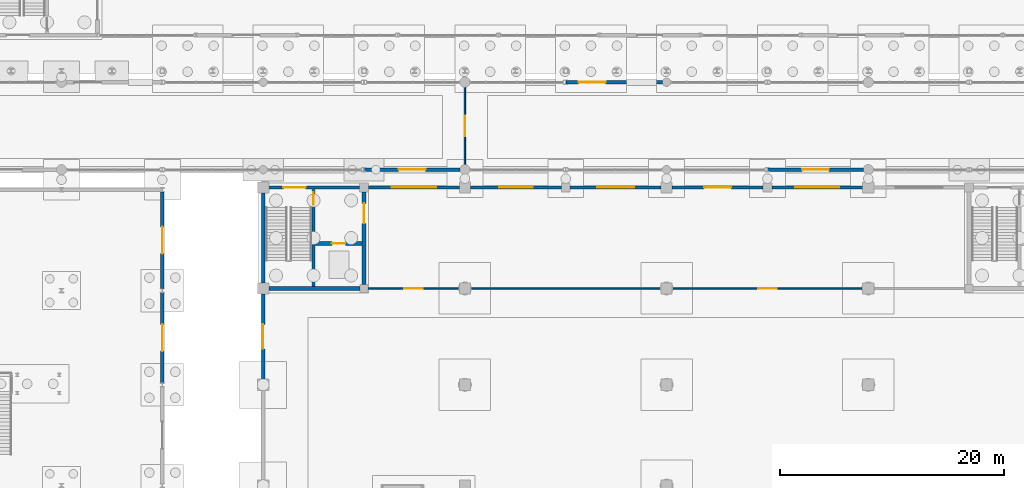
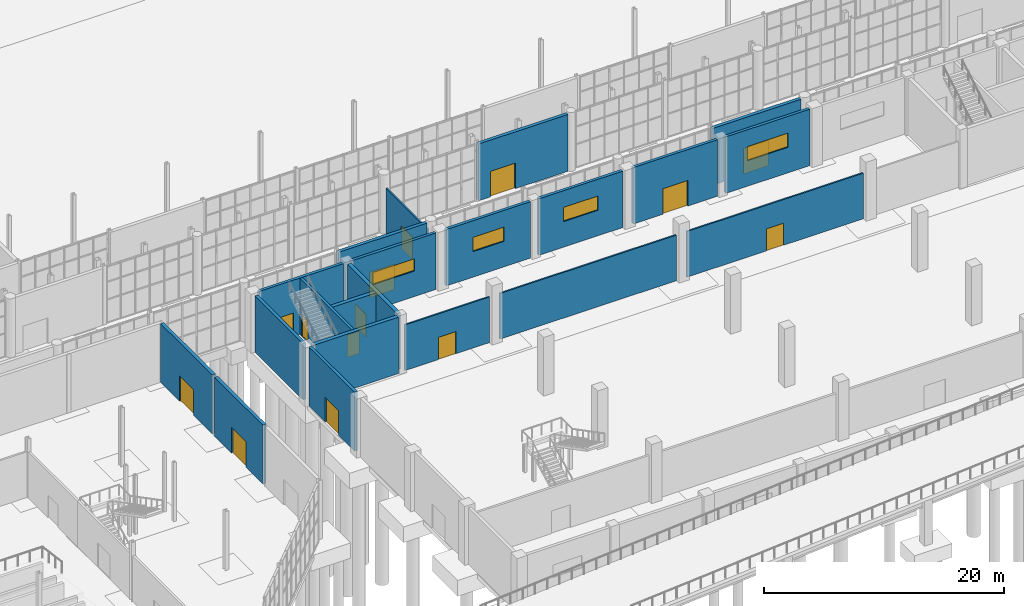
# One storey, part 100 of 131: 21 walls, 14 doors, 4 windows, 18 openings.
"""IFC4 building model written with IfcOpenShell, lengths in metres."""

from ifc_helpers import new_model, si_unit, direction, frame, frame_2d, origin, place, context, subcontext, project, spatial, rectangle, extrude, material, layer, layer_set, type_object, element, fill, save


model = new_model("IFC4")

# Units and contexts
model_context = context("Model", 3, precision=1e-05, world=origin(), true_north=direction((0.0, 1.0)))
body_context = subcontext(model_context, "Body", "Model", "MODEL_VIEW")
ifc_project = project(units=[si_unit("LENGTHUNIT", "METRE"), si_unit("AREAUNIT", "SQUARE_METRE"), si_unit("VOLUMEUNIT", "CUBIC_METRE"), si_unit("PLANEANGLEUNIT", "RADIAN"), si_unit("MASSUNIT", "GRAM", prefix="KILO")], contexts=[model_context])

# Site, building, storey
site_placement = place(None, origin())
site = spatial("IfcSite", under=ifc_project, at=site_placement, CompositionType="ELEMENT")
building_placement = place(site_placement, origin())
building = spatial("IfcBuilding", under=site, at=building_placement, Name="Cazmaro Siding Exhibition Halls", CompositionType="ELEMENT")
storey_placement = place(building_placement, origin())
storey = spatial("IfcBuildingStorey", under=building, at=storey_placement, Name="L00", CompositionType="ELEMENT", Elevation=0.0)

# Wall, opening, door
ifc_material_1 = material(Name="Concrete f'c 45 MPa", Category="concrete")
ifc_layer_1 = layer(ifc_material_1, 0.320068359375)
ifc_layer_set_1 = layer_set([ifc_layer_1], Name="Concrete f'c 45 MPa")
wall_type_1 = type_object("IfcWallType", Name="EW-01", PredefinedType="STANDARD", material=ifc_layer_set_1)
wall_1_placement = place(storey_placement, frame((89.56494140625, 55.199951171875, 0.0), z_axis=(0.0, 0.0, 1.0), x_axis=(-1.0, 0.0, 0.0)))
wall_1 = element("IfcWall", 1, at=wall_1_placement, inside=storey, type_object=wall_type_1, Name="Concourse Courtyard Portal Wall EW-01 WL-E0173", PredefinedType="STANDARD", context=body_context, shape_type="SweptSolid", body=[
    extrude(rectangle(XDim=8.552001953125, YDim=0.320068359375, at=frame_2d((4.27587890625, 0.0))), origin(), (0.0, 0.0, 1.0), 5.780029296875),
])
opening_1_placement = place(wall_1_placement, frame((3.075927734375, 0.0, 0.0)))
opening_1 = element("IfcOpeningElement", 2, at=opening_1_placement, cuts=wall_1, Name="Opening D-E040", PredefinedType="OPENING", context=body_context, shape_type="SweptSolid", body=[
    extrude(rectangle(XDim=2.39990234375, YDim=2.60009765625, at=frame_2d((1.199951171875, 1.300048828125))), frame((0.0, 0.169921875, 0.0), z_axis=(0.0, -1.0, 0.0), x_axis=(1.0, 0.0, 0.0)), (0.0, 0.0, 1.0), 0.340087890625),
])
ifc_material_2 = material(Name="Anodized Bronze Glazed Entrance Door", Category="aluminium")
door_type_1 = type_object("IfcDoorType", Name="ED-02", OperationType="DOUBLE_DOOR_SINGLE_SWING", PredefinedType="DOOR", material=ifc_material_2)
door_1_placement = place(opening_1_placement, origin())
door_1 = element("IfcDoor", 3, at=door_1_placement, inside=storey, type_object=door_type_1, Name="Exterior door D-E040 (ED-02)", OperationType="DOUBLE_DOOR_SINGLE_SWING", OverallHeight=2.60009765625, OverallWidth=2.39990234375, PredefinedType="DOOR", context=body_context, shape_type="SweptSolid", body=[
    extrude(rectangle(XDim=2.39990234375, YDim=2.60009765625, at=frame_2d((1.199951171875, 1.300048828125))), frame((0.0, 0.02490234375, 0.0), z_axis=(0.0, -1.0, 0.0), x_axis=(1.0, 0.0, 0.0)), (0.0, 0.0, 1.0), 0.050048828125),
])
fill(opening_1, door_1)

wall_2_placement = place(storey_placement, frame((99.012939453125, 63.0, 0.0), z_axis=(0.0, 0.0, 1.0), x_axis=(1.0, 0.0, 0.0)))
wall_2 = element("IfcWall", 4, at=wall_2_placement, inside=storey, type_object=wall_type_1, Name="Concourse North Colonnade Portal Wall EW-01 WL-E0176", PredefinedType="STANDARD", context=body_context, shape_type="SweptSolid", body=[
    extrude(rectangle(XDim=8.626953125, YDim=0.320068359375, at=frame_2d((4.3134765625, 0.0))), origin(), (0.0, 0.0, 1.0), 5.780029296875),
])
opening_2_placement = place(wall_2_placement, frame((1.136962890625, 0.0, 0.0)))
opening_2 = element("IfcOpeningElement", 5, at=opening_2_placement, cuts=wall_2, Name="Opening D-E043", PredefinedType="OPENING", context=body_context, shape_type="SweptSolid", body=[
    extrude(rectangle(XDim=2.39990234375, YDim=2.60009765625, at=frame_2d((1.199951171875, 1.300048828125))), frame((0.0, 0.169921875, 0.0), z_axis=(0.0, -1.0, 0.0), x_axis=(1.0, 0.0, 0.0)), (0.0, 0.0, 1.0), 0.340087890625),
])
door_2_placement = place(opening_2_placement, origin())
door_2 = element("IfcDoor", 6, at=door_2_placement, inside=storey, type_object=door_type_1, Name="Exterior door D-E043 (ED-02)", OperationType="DOUBLE_DOOR_SINGLE_SWING", OverallHeight=2.60009765625, OverallWidth=2.39990234375, PredefinedType="DOOR", context=body_context, shape_type="SweptSolid", body=[
    extrude(rectangle(XDim=2.39990234375, YDim=2.60009765625, at=frame_2d((1.199951171875, 1.300048828125))), frame((0.0, 0.02490234375, 0.0), z_axis=(0.0, -1.0, 0.0), x_axis=(1.0, 0.0, 0.0)), (0.0, 0.0, 1.0), 0.050048828125),
])
fill(opening_2, door_2)

wall_3_placement = place(storey_placement, frame((125.56494140625, 55.199951171875, 0.0), z_axis=(0.0, 0.0, 1.0), x_axis=(-1.0, 0.0, 0.0)))
wall_3 = element("IfcWall", 7, at=wall_3_placement, inside=storey, type_object=wall_type_1, Name="Concourse Courtyard Portal Wall EW-01 WL-E0179", PredefinedType="STANDARD", context=body_context, shape_type="SweptSolid", body=[
    extrude(rectangle(XDim=8.552001953125, YDim=0.320068359375, at=frame_2d((4.27587890625, 0.0))), origin(), (0.0, 0.0, 1.0), 5.780029296875),
])
opening_3_placement = place(wall_3_placement, frame((3.075927734375, 0.0, 0.0)))
opening_3 = element("IfcOpeningElement", 8, at=opening_3_placement, cuts=wall_3, Name="Opening D-E046", PredefinedType="OPENING", context=body_context, shape_type="SweptSolid", body=[
    extrude(rectangle(XDim=2.39990234375, YDim=2.60009765625, at=frame_2d((1.199951171875, 1.300048828125))), frame((0.0, 0.169921875, 0.0), z_axis=(0.0, -1.0, 0.0), x_axis=(1.0, 0.0, 0.0)), (0.0, 0.0, 1.0), 0.340087890625),
])
door_3_placement = place(opening_3_placement, origin())
door_3 = element("IfcDoor", 9, at=door_3_placement, inside=storey, type_object=door_type_1, Name="Exterior door D-E046 (ED-02)", OperationType="DOUBLE_DOOR_SINGLE_SWING", OverallHeight=2.60009765625, OverallWidth=2.39990234375, PredefinedType="DOOR", context=body_context, shape_type="SweptSolid", body=[
    extrude(rectangle(XDim=2.39990234375, YDim=2.60009765625, at=frame_2d((1.199951171875, 1.300048828125))), frame((0.0, 0.02490234375, 0.0), z_axis=(0.0, -1.0, 0.0), x_axis=(1.0, 0.0, 0.0)), (0.0, 0.0, 1.0), 0.050048828125),
])
fill(opening_3, door_3)

wall_4_placement = place(storey_placement, frame((63.0, 44.219970703125, 0.0), z_axis=(0.0, 0.0, 1.0), x_axis=(0.0, -1.0, 0.0)))
wall_4 = element("IfcWall", 10, at=wall_4_placement, inside=storey, type_object=wall_type_1, Name="Congress Plaza Entrance Wall EW-01 WL-E0203", PredefinedType="STANDARD", context=body_context, shape_type="SweptSolid", body=[
    extrude(rectangle(XDim=8.0400390625, YDim=0.320068359375, at=frame_2d((4.02001953125, 0.0))), origin(), (0.0, 0.0, 1.0), 6.0),
])
opening_4_placement = place(wall_4_placement, frame((2.820068359375, 0.0, 0.0)))
opening_4 = element("IfcOpeningElement", 11, at=opening_4_placement, cuts=wall_4, Name="Opening D-E057", PredefinedType="OPENING", context=body_context, shape_type="SweptSolid", body=[
    extrude(rectangle(XDim=2.39990234375, YDim=2.60009765625, at=frame_2d((1.199951171875, 1.300048828125))), frame((0.0, 0.169921875, 0.0), z_axis=(0.0, -1.0, 0.0), x_axis=(1.0, 0.0, 0.0)), (0.0, 0.0, 1.0), 0.340087890625),
])
door_4_placement = place(opening_4_placement, origin())
door_4 = element("IfcDoor", 12, at=door_4_placement, inside=storey, type_object=door_type_1, Name="Exterior door D-E057 (ED-02)", OperationType="DOUBLE_DOOR_SINGLE_SWING", OverallHeight=2.60009765625, OverallWidth=2.39990234375, PredefinedType="DOOR", context=body_context, shape_type="SweptSolid", body=[
    extrude(rectangle(XDim=2.39990234375, YDim=2.60009765625, at=frame_2d((1.199951171875, 1.300048828125))), frame((0.0, 0.02490234375, 0.0), z_axis=(0.0, -1.0, 0.0), x_axis=(1.0, 0.0, 0.0)), (0.0, 0.0, 1.0), 0.050048828125),
])
fill(opening_4, door_4)

wall_5_placement = place(storey_placement, frame((63.0, 53.219970703125, 0.0), z_axis=(0.0, 0.0, 1.0), x_axis=(0.0, -1.0, 0.0)))
wall_5 = element("IfcWall", 13, at=wall_5_placement, inside=storey, type_object=wall_type_1, Name="Congress Plaza Entrance Wall EW-01 WL-E0204", PredefinedType="STANDARD", context=body_context, shape_type="SweptSolid", body=[
    extrude(rectangle(XDim=8.639892578125, YDim=0.320068359375, at=frame_2d((4.31982421875, 0.0))), origin(), (0.0, 0.0, 1.0), 6.0),
])
opening_5_placement = place(wall_5_placement, frame((3.1201171875, 0.0, 0.0)))
opening_5 = element("IfcOpeningElement", 14, at=opening_5_placement, cuts=wall_5, Name="Opening D-E058", PredefinedType="OPENING", context=body_context, shape_type="SweptSolid", body=[
    extrude(rectangle(XDim=2.39990234375, YDim=2.60009765625, at=frame_2d((1.199951171875, 1.300048828125))), frame((0.0, 0.169921875, 0.0), z_axis=(0.0, -1.0, 0.0), x_axis=(1.0, 0.0, 0.0)), (0.0, 0.0, 1.0), 0.340087890625),
])
door_5_placement = place(opening_5_placement, origin())
door_5 = element("IfcDoor", 15, at=door_5_placement, inside=storey, type_object=door_type_1, Name="Exterior door D-E058 (ED-02)", OperationType="DOUBLE_DOOR_SINGLE_SWING", OverallHeight=2.60009765625, OverallWidth=2.39990234375, PredefinedType="DOOR", context=body_context, shape_type="SweptSolid", body=[
    extrude(rectangle(XDim=2.39990234375, YDim=2.60009765625, at=frame_2d((1.199951171875, 1.300048828125))), frame((0.0, 0.02490234375, 0.0), z_axis=(0.0, -1.0, 0.0), x_axis=(1.0, 0.0, 0.0)), (0.0, 0.0, 1.0), 0.050048828125),
])
fill(opening_5, door_5)

ifc_material_3 = material(Name="Precast concrete f'c 40 MPa", Category="concrete")
ifc_layer_2 = layer(ifc_material_3, 0.280029296875)
ifc_layer_set_2 = layer_set([ifc_layer_2], Name="Precast concrete f'c 40 MPa")
wall_type_2 = type_object("IfcWallType", Name="EW-02", PredefinedType="STANDARD", material=ifc_layer_set_2)
wall_6_placement = place(storey_placement, frame((72.491943359375, 53.60009765625, 0.0), z_axis=(0.0, 0.0, 1.0), x_axis=(1.0, 0.0, 0.0)))
wall_6 = element("IfcWall", 16, at=wall_6_placement, inside=storey, type_object=wall_type_2, Name="Hall B1 North Wall EW-02 WL-E0039", PredefinedType="STANDARD", context=body_context, shape_type="SweptSolid", body=[
    extrude(rectangle(XDim=8.115966796875, YDim=0.280029296875, at=frame_2d((4.05810546875, 0.0))), origin(), (0.0, 0.0, 1.0), 5.75),
])
opening_6_placement = place(wall_6_placement, frame((1.300048828125, 0.0, 0.0)))
opening_6 = element("IfcOpeningElement", 17, at=opening_6_placement, cuts=wall_6, Name="Opening D-E013", PredefinedType="OPENING", context=body_context, shape_type="SweptSolid", body=[
    extrude(rectangle(XDim=2.0, YDim=2.39990234375, at=frame_2d((1.0, 1.199951171875))), frame((0.0, 0.14990234375, 0.0), z_axis=(0.0, -1.0, 0.0), x_axis=(1.0, 0.0, 0.0)), (0.0, 0.0, 1.0), 0.300048828125),
])
ifc_material_4 = material(Name="Anodized Bronze Glazed Entrance Door", Category="aluminium")
door_type_2 = type_object("IfcDoorType", Name="ED-01", OperationType="DOUBLE_DOOR_SINGLE_SWING", PredefinedType="DOOR", material=ifc_material_4)
door_6_placement = place(opening_6_placement, origin())
door_6 = element("IfcDoor", 18, at=door_6_placement, inside=storey, type_object=door_type_2, Name="Exterior door D-E013 (ED-01)", OperationType="DOUBLE_DOOR_SINGLE_SWING", OverallHeight=2.39990234375, OverallWidth=2.0, PredefinedType="DOOR", context=body_context, shape_type="SweptSolid", body=[
    extrude(rectangle(XDim=2.0, YDim=2.39990234375, at=frame_2d((1.0, 1.199951171875))), frame((0.0, 0.02490234375, 0.0), z_axis=(0.0, -1.0, 0.0), x_axis=(1.0, 0.0, 0.0)), (0.0, 0.0, 1.0), 0.050048828125),
])
fill(opening_6, door_6)

# Wall, opening, window
wall_7_placement = place(storey_placement, frame((81.39208984375, 53.60009765625, 0.0), z_axis=(0.0, 0.0, 1.0), x_axis=(1.0, 0.0, 0.0)))
wall_7 = element("IfcWall", 19, at=wall_7_placement, inside=storey, type_object=wall_type_2, Name="Hall B1 North Wall EW-02 WL-E0045", PredefinedType="STANDARD", context=body_context, shape_type="SweptSolid", body=[
    extrude(rectangle(XDim=8.115966796875, YDim=0.280029296875, at=frame_2d((4.05810546875, 0.0))), origin(), (0.0, 0.0, 1.0), 5.75),
])
opening_7_placement = place(wall_7_placement, frame((2.05810546875, 0.0, 2.60009765625)))
opening_7 = element("IfcOpeningElement", 20, at=opening_7_placement, cuts=wall_7, Name="Opening W-021", PredefinedType="OPENING", context=body_context, shape_type="SweptSolid", body=[
    extrude(rectangle(XDim=4.0, YDim=1.25, at=frame_2d((2.0, 0.625))), frame((0.0, 0.14990234375, 0.0), z_axis=(0.0, -1.0, 0.0), x_axis=(1.0, 0.0, 0.0)), (0.0, 0.0, 1.0), 0.300048828125),
])
ifc_material_5 = material(Name="Thermally Broken Aluminum Low-E Window Unit", Category="aluminium")
window_type_1 = type_object("IfcWindowType", Name="WT-23", PartitioningType="SINGLE_PANEL", PredefinedType="WINDOW", material=ifc_material_5)
window_1_placement = place(opening_7_placement, origin())
window_1 = element("IfcWindow", 21, at=window_1_placement, inside=storey, type_object=window_type_1, Name="Window W-021 (WT-23)", OverallHeight=1.25, OverallWidth=4.0, PartitioningType="SINGLE_PANEL", PredefinedType="WINDOW", context=body_context, shape_type="SweptSolid", body=[
    extrude(rectangle(XDim=4.0, YDim=1.25, at=frame_2d((2.0, 0.625))), frame((0.0, 0.030029296875, 0.0), z_axis=(0.0, -1.0, 0.0), x_axis=(1.0, 0.0, 0.0)), (0.0, 0.0, 1.0), 0.06005859375),
])
fill(opening_7, window_1)

wall_8_placement = place(storey_placement, frame((90.491943359375, 53.60009765625, 0.0), z_axis=(0.0, 0.0, 1.0), x_axis=(1.0, 0.0, 0.0)))
wall_8 = element("IfcWall", 22, at=wall_8_placement, inside=storey, type_object=wall_type_2, Name="Hall B1 North Wall EW-02 WL-E0051", PredefinedType="STANDARD", context=body_context, shape_type="SweptSolid", body=[
    extrude(rectangle(XDim=8.115966796875, YDim=0.280029296875, at=frame_2d((4.05810546875, 0.0))), origin(), (0.0, 0.0, 1.0), 5.75),
])
opening_8_placement = place(wall_8_placement, frame((2.55810546875, 0.0, 2.60009765625)))
opening_8 = element("IfcOpeningElement", 23, at=opening_8_placement, cuts=wall_8, Name="Opening W-024", PredefinedType="OPENING", context=body_context, shape_type="SweptSolid", body=[
    extrude(rectangle(XDim=3.0, YDim=1.449951171875, at=frame_2d((1.5, 0.72509765625))), frame((0.0, 0.14990234375, 0.0), z_axis=(0.0, -1.0, 0.0), x_axis=(1.0, 0.0, 0.0)), (0.0, 0.0, 1.0), 0.300048828125),
])
ifc_material_6 = material(Name="Thermally Broken Aluminum Low-E Window Unit", Category="aluminium")
window_type_2 = type_object("IfcWindowType", Name="WT-24", PartitioningType="SINGLE_PANEL", PredefinedType="WINDOW", material=ifc_material_6)
window_2_placement = place(opening_8_placement, origin())
window_2 = element("IfcWindow", 24, at=window_2_placement, inside=storey, type_object=window_type_2, Name="Window W-024 (WT-24)", OverallHeight=1.449951171875, OverallWidth=3.0, PartitioningType="SINGLE_PANEL", PredefinedType="WINDOW", context=body_context, shape_type="SweptSolid", body=[
    extrude(rectangle(XDim=3.0, YDim=1.449951171875, at=frame_2d((1.5, 0.72509765625))), frame((0.0, 0.030029296875, 0.0), z_axis=(0.0, -1.0, 0.0), x_axis=(1.0, 0.0, 0.0)), (0.0, 0.0, 1.0), 0.06005859375),
])
fill(opening_8, window_2)

wall_9_placement = place(storey_placement, frame((99.39208984375, 53.60009765625, 0.0), z_axis=(0.0, 0.0, 1.0), x_axis=(1.0, 0.0, 0.0)))
wall_9 = element("IfcWall", 25, at=wall_9_placement, inside=storey, type_object=wall_type_2, Name="Hall B1 North Wall EW-02 WL-E0057", PredefinedType="STANDARD", context=body_context, shape_type="SweptSolid", body=[
    extrude(rectangle(XDim=8.115966796875, YDim=0.280029296875, at=frame_2d((4.05810546875, 0.0))), origin(), (0.0, 0.0, 1.0), 5.75),
])
opening_9_placement = place(wall_9_placement, frame((2.407958984375, 0.0, 2.60009765625)))
opening_9 = element("IfcOpeningElement", 26, at=opening_9_placement, cuts=wall_9, Name="Opening W-027", PredefinedType="OPENING", context=body_context, shape_type="SweptSolid", body=[
    extrude(rectangle(XDim=3.300048828125, YDim=1.449951171875, at=frame_2d((1.64990234375, 0.72509765625))), frame((0.0, 0.14990234375, 0.0), z_axis=(0.0, -1.0, 0.0), x_axis=(1.0, 0.0, 0.0)), (0.0, 0.0, 1.0), 0.300048828125),
])
ifc_material_7 = material(Name="Thermally Broken Aluminum Low-E Window Unit", Category="aluminium")
window_type_3 = type_object("IfcWindowType", Name="WT-25", PartitioningType="SINGLE_PANEL", PredefinedType="WINDOW", material=ifc_material_7)
window_3_placement = place(opening_9_placement, origin())
window_3 = element("IfcWindow", 27, at=window_3_placement, inside=storey, type_object=window_type_3, Name="Window W-027 (WT-25)", OverallHeight=1.449951171875, OverallWidth=3.300048828125, PartitioningType="SINGLE_PANEL", PredefinedType="WINDOW", context=body_context, shape_type="SweptSolid", body=[
    extrude(rectangle(XDim=3.300048828125, YDim=1.449951171875, at=frame_2d((1.64990234375, 0.72509765625))), frame((0.0, 0.030029296875, 0.0), z_axis=(0.0, -1.0, 0.0), x_axis=(1.0, 0.0, 0.0)), (0.0, 0.0, 1.0), 0.06005859375),
])
fill(opening_9, window_3)

# Wall, opening, door
wall_10_placement = place(storey_placement, frame((108.491943359375, 53.60009765625, 0.0), z_axis=(0.0, 0.0, 1.0), x_axis=(1.0, 0.0, 0.0)))
wall_10 = element("IfcWall", 28, at=wall_10_placement, inside=storey, type_object=wall_type_2, Name="Hall B1 North Wall EW-02 WL-E0063", PredefinedType="STANDARD", context=body_context, shape_type="SweptSolid", body=[
    extrude(rectangle(XDim=8.115966796875, YDim=0.280029296875, at=frame_2d((4.05810546875, 0.0))), origin(), (0.0, 0.0, 1.0), 5.75),
])
opening_10_placement = place(wall_10_placement, frame((2.85791015625, 0.0, 0.0)))
opening_10 = element("IfcOpeningElement", 29, at=opening_10_placement, cuts=wall_10, Name="Opening D-E017", PredefinedType="OPENING", context=body_context, shape_type="SweptSolid", body=[
    extrude(rectangle(XDim=2.39990234375, YDim=2.60009765625, at=frame_2d((1.199951171875, 1.300048828125))), frame((0.0, 0.14990234375, 0.0), z_axis=(0.0, -1.0, 0.0), x_axis=(1.0, 0.0, 0.0)), (0.0, 0.0, 1.0), 0.300048828125),
])
door_7_placement = place(opening_10_placement, origin())
door_7 = element("IfcDoor", 30, at=door_7_placement, inside=storey, type_object=door_type_1, Name="Exterior door D-E017 (ED-02)", OperationType="DOUBLE_DOOR_SINGLE_SWING", OverallHeight=2.60009765625, OverallWidth=2.39990234375, PredefinedType="DOOR", context=body_context, shape_type="SweptSolid", body=[
    extrude(rectangle(XDim=2.39990234375, YDim=2.60009765625, at=frame_2d((1.199951171875, 1.300048828125))), frame((0.0, 0.02490234375, 0.0), z_axis=(0.0, -1.0, 0.0), x_axis=(1.0, 0.0, 0.0)), (0.0, 0.0, 1.0), 0.050048828125),
])
fill(opening_10, door_7)

# Wall, opening, window
wall_11_placement = place(storey_placement, frame((117.39208984375, 53.60009765625, 0.0), z_axis=(0.0, 0.0, 1.0), x_axis=(1.0, 0.0, 0.0)))
wall_11 = element("IfcWall", 31, at=wall_11_placement, inside=storey, type_object=wall_type_2, Name="Hall B1 North Wall EW-02 WL-E0069", PredefinedType="STANDARD", context=body_context, shape_type="SweptSolid", body=[
    extrude(rectangle(XDim=8.115966796875, YDim=0.280029296875, at=frame_2d((4.05810546875, 0.0))), origin(), (0.0, 0.0, 1.0), 5.75),
])
opening_11_placement = place(wall_11_placement, frame((2.10791015625, 0.0, 2.60009765625)))
opening_11 = element("IfcOpeningElement", 32, at=opening_11_placement, cuts=wall_11, Name="Opening W-032", PredefinedType="OPENING", context=body_context, shape_type="SweptSolid", body=[
    extrude(rectangle(XDim=3.89990234375, YDim=1.449951171875, at=frame_2d((1.949951171875, 0.72509765625))), frame((0.0, 0.14990234375, 0.0), z_axis=(0.0, -1.0, 0.0), x_axis=(1.0, 0.0, 0.0)), (0.0, 0.0, 1.0), 0.300048828125),
])
ifc_material_8 = material(Name="Thermally Broken Aluminum Low-E Window Unit", Category="aluminium")
window_type_4 = type_object("IfcWindowType", Name="WT-27", PartitioningType="SINGLE_PANEL", PredefinedType="WINDOW", material=ifc_material_8)
window_4_placement = place(opening_11_placement, origin())
window_4 = element("IfcWindow", 33, at=window_4_placement, inside=storey, type_object=window_type_4, Name="Window W-032 (WT-27)", OverallHeight=1.449951171875, OverallWidth=3.89990234375, PartitioningType="SINGLE_PANEL", PredefinedType="WINDOW", context=body_context, shape_type="SweptSolid", body=[
    extrude(rectangle(XDim=3.89990234375, YDim=1.449951171875, at=frame_2d((1.949951171875, 0.72509765625))), frame((0.0, 0.030029296875, 0.0), z_axis=(0.0, -1.0, 0.0), x_axis=(1.0, 0.0, 0.0)), (0.0, 0.0, 1.0), 0.06005859375),
])
fill(opening_11, window_4)

# Wall, opening, door
wall_12_placement = place(storey_placement, frame((72.0, 36.491943359375, 0.0), z_axis=(0.0, 0.0, 1.0), x_axis=(0.0, 1.0, 0.0)))
wall_12 = element("IfcWall", 34, at=wall_12_placement, inside=storey, type_object=wall_type_2, Name="Hall B1 West Wall EW-02 WL-E0144", PredefinedType="STANDARD", context=body_context, shape_type="SweptSolid", body=[
    extrude(rectangle(XDim=7.615966796875, YDim=0.280029296875, at=frame_2d((3.80810546875, 0.0))), origin(), (0.0, 0.0, 1.0), 6.0),
])
opening_12_placement = place(wall_12_placement, frame((2.7080078125, 0.0, 0.0)))
opening_12 = element("IfcOpeningElement", 35, at=opening_12_placement, cuts=wall_12, Name="Opening D-E029", PredefinedType="OPENING", context=body_context, shape_type="SweptSolid", body=[
    extrude(rectangle(XDim=2.199951171875, YDim=2.5, at=frame_2d((1.10009765625, 1.25))), frame((0.0, 0.14990234375, 0.0), z_axis=(0.0, -1.0, 0.0), x_axis=(1.0, 0.0, 0.0)), (0.0, 0.0, 1.0), 0.300048828125),
])
ifc_material_9 = material(Name="Anodized Bronze Glazed Entrance Door", Category="aluminium")
door_type_3 = type_object("IfcDoorType", Name="ED-06", OperationType="DOUBLE_DOOR_SINGLE_SWING", PredefinedType="DOOR", material=ifc_material_9)
door_8_placement = place(opening_12_placement, origin())
door_8 = element("IfcDoor", 36, at=door_8_placement, inside=storey, type_object=door_type_3, Name="Exterior door D-E029 (ED-06)", OperationType="DOUBLE_DOOR_SINGLE_SWING", OverallHeight=2.5, OverallWidth=2.199951171875, PredefinedType="DOOR", context=body_context, shape_type="SweptSolid", body=[
    extrude(rectangle(XDim=2.199951171875, YDim=2.5, at=frame_2d((1.10009765625, 1.25))), frame((0.0, 0.02490234375, 0.0), z_axis=(0.0, -1.0, 0.0), x_axis=(1.0, 0.0, 0.0)), (0.0, 0.0, 1.0), 0.050048828125),
])
fill(opening_12, door_8)

# Wall
wall_13_placement = place(storey_placement, frame((72.0, 45.092041015625, 0.0), z_axis=(0.0, 0.0, 1.0), x_axis=(0.0, 1.0, 0.0)))
element("IfcWall", 37, at=wall_13_placement, inside=storey, type_object=wall_type_2, Name="Hall B1 West Wall EW-02 WL-E0150", PredefinedType="STANDARD", context=body_context, shape_type="SweptSolid", body=[
    extrude(rectangle(XDim=8.015869140625, YDim=0.280029296875, at=frame_2d((4.0078125, 0.0))), origin(), (0.0, 0.0, 1.0), 5.75),
])

# Wall, opening, door
ifc_material_10 = material(Name="Fire-Rated Gypsum Board on Cold-Formed Steel Studs", Category="steel")
ifc_layer_3 = layer(ifc_material_10, 0.14501953125)
ifc_layer_set_3 = layer_set([ifc_layer_3], Name="Fire-Rated Gypsum Board on Cold-Formed Steel Studs")
wall_type_3 = type_object("IfcWallType", Name="PW-01", PredefinedType="PARTITIONING", material=ifc_layer_set_3)
wall_14_placement = place(storey_placement, frame((81.344970703125, 44.60009765625, 0.0), z_axis=(0.0, 0.0, 1.0), x_axis=(1.0, 0.0, 0.0)))
wall_14 = element("IfcWall", 38, at=wall_14_placement, inside=storey, type_object=wall_type_3, Name="Hall B1 North Service Partition PW-01 WL-I0159", PredefinedType="PARTITIONING", context=body_context, shape_type="SweptSolid", body=[
    extrude(rectangle(XDim=8.159912109375, YDim=0.14501953125, at=frame_2d((4.080078125, 0.0))), origin(), (0.0, 0.0, 1.0), 4.64990234375),
])
opening_13_placement = place(wall_14_placement, frame((3.2548828125, 0.0, 0.0)))
opening_13 = element("IfcOpeningElement", 39, at=opening_13_placement, cuts=wall_14, Name="Opening D-I074", PredefinedType="OPENING", context=body_context, shape_type="SweptSolid", body=[
    extrude(rectangle(XDim=1.64990234375, YDim=2.25, at=frame_2d((0.824951171875, 1.125))), frame((0.0, 0.08251953125, 0.0), z_axis=(0.0, -1.0, 0.0), x_axis=(1.0, 0.0, 0.0)), (0.0, 0.0, 1.0), 0.1650390625),
])
ifc_material_11 = material(Name="Fire-Rated Painted Hollow Metal Door", Category="steel")
door_type_4 = type_object("IfcDoorType", Name="ID-05", OperationType="DOUBLE_DOOR_SINGLE_SWING", PredefinedType="DOOR", material=ifc_material_11)
door_9_placement = place(opening_13_placement, origin())
door_9 = element("IfcDoor", 40, at=door_9_placement, inside=storey, type_object=door_type_4, Name="Interior door D-I074 (ID-05)", OperationType="DOUBLE_DOOR_SINGLE_SWING", OverallHeight=2.25, OverallWidth=1.64990234375, PredefinedType="DOOR", context=body_context, shape_type="SweptSolid", body=[
    extrude(rectangle(XDim=1.64990234375, YDim=2.25, at=frame_2d((0.824951171875, 1.125))), frame((0.0, 0.02490234375, 0.0), z_axis=(0.0, -1.0, 0.0), x_axis=(1.0, 0.0, 0.0)), (0.0, 0.0, 1.0), 0.050048828125),
])
fill(opening_13, door_9)

# Wall
wall_15_placement = place(storey_placement, frame((90.4951171875, 44.60009765625, 0.0), z_axis=(0.0, 0.0, 1.0), x_axis=(1.0, 0.0, 0.0)))
element("IfcWall", 41, at=wall_15_placement, inside=storey, type_object=wall_type_3, Name="Hall B1 North Service Partition PW-01 WL-I0160", PredefinedType="PARTITIONING", context=body_context, shape_type="SweptSolid", body=[
    extrude(rectangle(XDim=17.009765625, YDim=0.14501953125, at=frame_2d((8.5048828125, 0.0))), origin(), (0.0, 0.0, 1.0), 4.64990234375),
])

# Wall, opening, door
wall_16_placement = place(storey_placement, frame((108.4951171875, 44.60009765625, 0.0), z_axis=(0.0, 0.0, 1.0), x_axis=(1.0, 0.0, 0.0)))
wall_16 = element("IfcWall", 42, at=wall_16_placement, inside=storey, type_object=wall_type_3, Name="Hall B1 North Service Partition PW-01 WL-I0161", PredefinedType="PARTITIONING", context=body_context, shape_type="SweptSolid", body=[
    extrude(rectangle(XDim=17.009765625, YDim=0.14501953125, at=frame_2d((8.5048828125, 0.0))), origin(), (0.0, 0.0, 1.0), 4.64990234375),
])
opening_14_placement = place(wall_16_placement, frame((7.679931640625, 0.0, 0.0)))
opening_14 = element("IfcOpeningElement", 43, at=opening_14_placement, cuts=wall_16, Name="Opening D-I075", PredefinedType="OPENING", context=body_context, shape_type="SweptSolid", body=[
    extrude(rectangle(XDim=1.64990234375, YDim=2.25, at=frame_2d((0.824951171875, 1.125))), frame((0.0, 0.08251953125, 0.0), z_axis=(0.0, -1.0, 0.0), x_axis=(1.0, 0.0, 0.0)), (0.0, 0.0, 1.0), 0.1650390625),
])
door_10_placement = place(opening_14_placement, origin())
door_10 = element("IfcDoor", 44, at=door_10_placement, inside=storey, type_object=door_type_4, Name="Interior door D-I075 (ID-05)", OperationType="DOUBLE_DOOR_SINGLE_SWING", OverallHeight=2.25, OverallWidth=1.64990234375, PredefinedType="DOOR", context=body_context, shape_type="SweptSolid", body=[
    extrude(rectangle(XDim=1.64990234375, YDim=2.25, at=frame_2d((0.824951171875, 1.125))), frame((0.0, 0.02490234375, 0.0), z_axis=(0.0, -1.0, 0.0), x_axis=(1.0, 0.0, 0.0)), (0.0, 0.0, 1.0), 0.050048828125),
])
fill(opening_14, door_10)

wall_17_placement = place(storey_placement, frame((90.0, 55.633056640625, 0.0), z_axis=(0.0, 0.0, 1.0), x_axis=(0.0, 1.0, 0.0)))
wall_17 = element("IfcWall", 45, at=wall_17_placement, inside=storey, type_object=wall_type_3, Name="Concourse Foyer Smoke Partition PW-01 WL-I0169", PredefinedType="PARTITIONING", context=body_context, shape_type="SweptSolid", body=[
    extrude(rectangle(XDim=6.933837890625, YDim=0.14501953125, at=frame_2d((3.466796875, 0.0))), origin(), (0.0, 0.0, 1.0), 4.64990234375),
])
opening_15_placement = place(wall_17_placement, frame((2.56689453125, 0.0, 0.0)))
opening_15 = element("IfcOpeningElement", 46, at=opening_15_placement, cuts=wall_17, Name="Opening D-I082", PredefinedType="OPENING", context=body_context, shape_type="SweptSolid", body=[
    extrude(rectangle(XDim=1.800048828125, YDim=2.300048828125, at=frame_2d((0.89990234375, 1.14990234375))), frame((0.0, 0.08251953125, 0.0), z_axis=(0.0, -1.0, 0.0), x_axis=(1.0, 0.0, 0.0)), (0.0, 0.0, 1.0), 0.1650390625),
])
ifc_material_12 = material(Name="Fire-Rated Painted Hollow Metal Door", Category="steel")
door_type_5 = type_object("IfcDoorType", Name="ID-02", OperationType="DOUBLE_DOOR_SINGLE_SWING", PredefinedType="DOOR", material=ifc_material_12)
door_11_placement = place(opening_15_placement, origin())
door_11 = element("IfcDoor", 47, at=door_11_placement, inside=storey, type_object=door_type_5, Name="Interior door D-I082 (ID-02)", OperationType="DOUBLE_DOOR_SINGLE_SWING", OverallHeight=2.300048828125, OverallWidth=1.800048828125, PredefinedType="DOOR", context=body_context, shape_type="SweptSolid", body=[
    extrude(rectangle(XDim=1.800048828125, YDim=2.300048828125, at=frame_2d((0.89990234375, 1.14990234375))), frame((0.0, 0.02490234375, 0.0), z_axis=(0.0, -1.0, 0.0), x_axis=(1.0, 0.0, 0.0)), (0.0, 0.0, 1.0), 0.050048828125),
])
fill(opening_15, door_11)

ifc_material_13 = material(Name="Concrete f'c 50 MPa", Category="concrete")
ifc_layer_4 = layer(ifc_material_13, 0.360107421875)
ifc_layer_set_4 = layer_set([ifc_layer_4], Name="Concrete f'c 50 MPa")
wall_type_4 = type_object("IfcWallType", Name="SW-01", PredefinedType="SHEAR", material=ifc_layer_set_4)
wall_18_placement = place(storey_placement, frame((81.0, 44.945068359375, 0.0), z_axis=(0.0, 0.0, 1.0), x_axis=(0.0, 1.0, 0.0)))
wall_18 = element("IfcWall", 48, at=wall_18_placement, inside=storey, type_object=wall_type_4, Name="Core C3 East Shear Wall SW-01 WL-I0025", PredefinedType="SHEAR", context=body_context, shape_type="SweptSolid", body=[
    extrude(rectangle(XDim=8.260009765625, YDim=0.360107421875, at=frame_2d((4.1298828125, 0.0))), origin(), (0.0, 0.0, 1.0), 5.75),
])
opening_16_placement = place(wall_18_placement, frame((5.455078125, 0.0, 0.0)))
opening_16 = element("IfcOpeningElement", 49, at=opening_16_placement, cuts=wall_18, Name="Opening D-I014", PredefinedType="OPENING", context=body_context, shape_type="SweptSolid", body=[
    extrude(rectangle(XDim=1.800048828125, YDim=2.300048828125, at=frame_2d((0.89990234375, 1.14990234375))), frame((0.0, 0.18994140625, 0.0), z_axis=(0.0, -1.0, 0.0), x_axis=(1.0, 0.0, 0.0)), (0.0, 0.0, 1.0), 0.380126953125),
])
door_12_placement = place(opening_16_placement, origin())
door_12 = element("IfcDoor", 50, at=door_12_placement, inside=storey, type_object=door_type_5, Name="Interior door D-I014 (ID-02)", OperationType="DOUBLE_DOOR_SINGLE_SWING", OverallHeight=2.300048828125, OverallWidth=1.800048828125, PredefinedType="DOOR", context=body_context, shape_type="SweptSolid", body=[
    extrude(rectangle(XDim=1.800048828125, YDim=2.300048828125, at=frame_2d((0.89990234375, 1.14990234375))), frame((0.0, 0.02490234375, 0.0), z_axis=(0.0, -1.0, 0.0), x_axis=(1.0, 0.0, 0.0)), (0.0, 0.0, 1.0), 0.050048828125),
])
fill(opening_16, door_12)

# Wall
wall_19_placement = place(storey_placement, frame((72.4951171875, 44.60009765625, 0.0), z_axis=(0.0, 0.0, 1.0), x_axis=(1.0, 0.0, 0.0)))
element("IfcWall", 51, at=wall_19_placement, inside=storey, type_object=wall_type_4, Name="Core C3 South Shear Wall SW-01 WL-I0026", PredefinedType="SHEAR", context=body_context, shape_type="SweptSolid", body=[
    extrude(rectangle(XDim=8.159912109375, YDim=0.360107421875, at=frame_2d((4.080078125, 0.0))), origin(), (0.0, 0.0, 1.0), 5.75),
])

# Wall, opening, door
wall_20_placement = place(storey_placement, frame((76.614990234375, 48.60009765625, 0.0), z_axis=(0.0, 0.0, 1.0), x_axis=(1.0, 0.0, 0.0)))
wall_20 = element("IfcWall", 52, at=wall_20_placement, inside=storey, type_object=wall_type_4, Name="Core C3 Lift Shaft Wall SW-01 WL-I0028", PredefinedType="SHEAR", context=body_context, shape_type="SweptSolid", body=[
    extrude(rectangle(XDim=4.219970703125, YDim=0.360107421875, at=frame_2d((2.10986328125, 0.0))), origin(), (0.0, 0.0, 1.0), 5.75),
])
opening_17_placement = place(wall_20_placement, frame((1.510009765625, 0.0, 0.0)))
opening_17 = element("IfcOpeningElement", 53, at=opening_17_placement, cuts=wall_20, Name="Opening LD-007", PredefinedType="OPENING", context=body_context, shape_type="SweptSolid", body=[
    extrude(rectangle(XDim=1.199951171875, YDim=2.300048828125, at=frame_2d((0.60009765625, 1.14990234375))), frame((0.0, 0.18994140625, 0.0), z_axis=(0.0, -1.0, 0.0), x_axis=(1.0, 0.0, 0.0)), (0.0, 0.0, 1.0), 0.380126953125),
])
ifc_material_14 = material(Name="Stainless Steel Elevator Landing Door", Category="steel")
door_type_6 = type_object("IfcDoorType", Name="LD-01", OperationType="SLIDING_TO_LEFT", PredefinedType="DOOR", material=ifc_material_14)
door_13_placement = place(opening_17_placement, origin())
door_13 = element("IfcDoor", 54, at=door_13_placement, inside=storey, type_object=door_type_6, Name="Interior door LD-007 (LD-01)", OperationType="SLIDING_TO_LEFT", OverallHeight=2.300048828125, OverallWidth=1.199951171875, PredefinedType="DOOR", context=body_context, shape_type="SweptSolid", body=[
    extrude(rectangle(XDim=1.199951171875, YDim=2.300048828125, at=frame_2d((0.60009765625, 1.14990234375))), frame((0.0, 0.02490234375, 0.0), z_axis=(0.0, -1.0, 0.0), x_axis=(1.0, 0.0, 0.0)), (0.0, 0.0, 1.0), 0.050048828125),
])
fill(opening_17, door_13)

ifc_material_15 = material(Name="Concrete f'c 50 MPa", Category="concrete")
ifc_layer_5 = layer(ifc_material_15, 0.25)
ifc_layer_set_5 = layer_set([ifc_layer_5], Name="Concrete f'c 50 MPa")
wall_type_5 = type_object("IfcWallType", Name="SW-02", PredefinedType="SHEAR", material=ifc_layer_set_5)
wall_21_placement = place(storey_placement, frame((76.5, 44.764892578125, 0.0), z_axis=(0.0, 0.0, 1.0), x_axis=(0.0, 1.0, 0.0)))
wall_21 = element("IfcWall", 55, at=wall_21_placement, inside=storey, type_object=wall_type_5, Name="Core C3 Stair-Lobby Divider SW-02 WL-I0027", PredefinedType="SHEAR", context=body_context, shape_type="SweptSolid", body=[
    extrude(rectangle(XDim=8.670166015625, YDim=0.25, at=frame_2d((4.3349609375, 0.0))), origin(), (0.0, 0.0, 1.0), 5.75),
])
opening_18_placement = place(wall_21_placement, frame((7.320068359375, 0.0, 0.0)))
opening_18 = element("IfcOpeningElement", 56, at=opening_18_placement, cuts=wall_21, Name="Opening D-I013", PredefinedType="OPENING", context=body_context, shape_type="SweptSolid", body=[
    extrude(rectangle(XDim=1.10009765625, YDim=2.199951171875, at=frame_2d((0.550048828125, 1.10009765625))), frame((0.0, 0.135009765625, 0.0), z_axis=(0.0, -1.0, 0.0), x_axis=(1.0, 0.0, 0.0)), (0.0, 0.0, 1.0), 0.27001953125),
])
ifc_material_16 = material(Name="Fire-Rated Painted Hollow Metal Door", Category="steel")
door_type_7 = type_object("IfcDoorType", Name="ID-01", OperationType="NOTDEFINED", PredefinedType="DOOR", material=ifc_material_16)
door_14_placement = place(opening_18_placement, origin())
door_14 = element("IfcDoor", 57, at=door_14_placement, inside=storey, type_object=door_type_7, Name="Interior door D-I013 (ID-01)", OperationType="SINGLE_SWING_RIGHT", OverallHeight=2.199951171875, OverallWidth=1.10009765625, PredefinedType="DOOR", context=body_context, shape_type="SweptSolid", body=[
    extrude(rectangle(XDim=1.10009765625, YDim=2.199951171875, at=frame_2d((0.550048828125, 1.10009765625))), frame((0.0, 0.02490234375, 0.0), z_axis=(0.0, -1.0, 0.0), x_axis=(1.0, 0.0, 0.0)), (0.0, 0.0, 1.0), 0.050048828125),
])
fill(opening_18, door_14)

save(model, "model.ifc")
